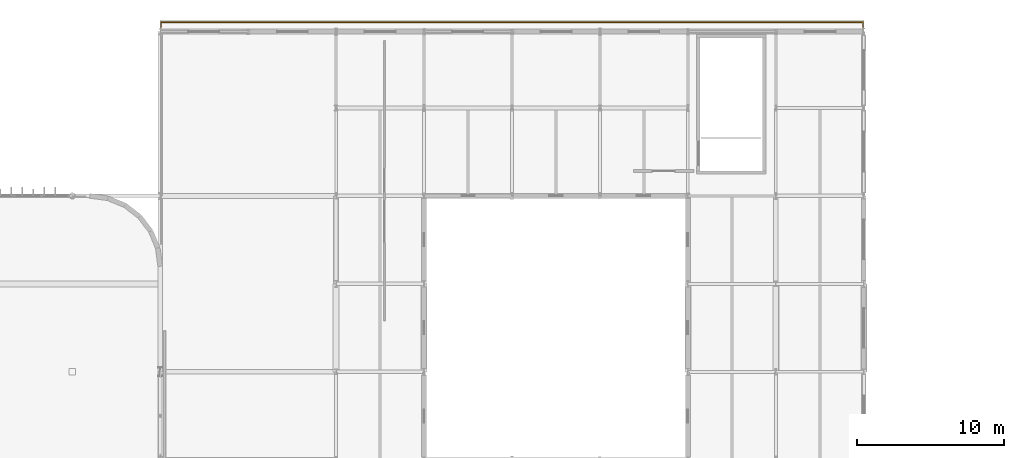
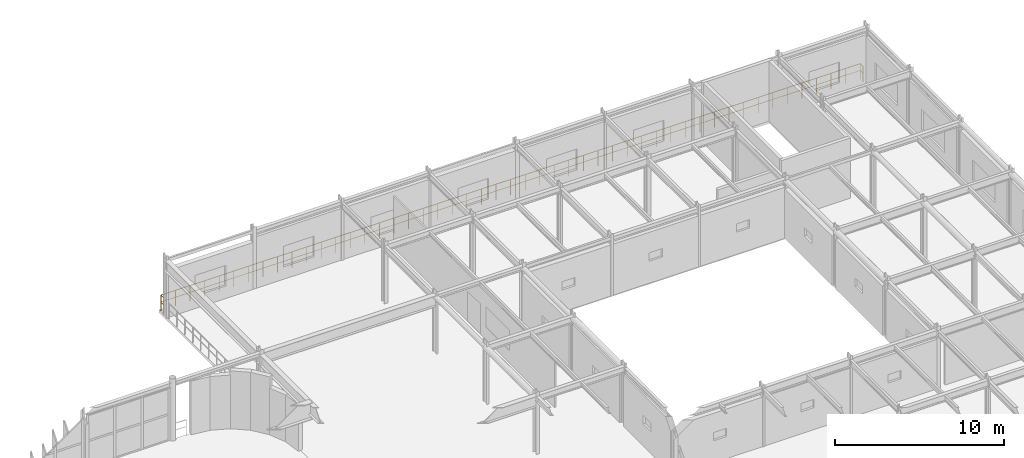
# One storey, part 80 of 84: 1 railing.
"""IFC4 building model written with IfcOpenShell, lengths in metres."""

from ifc_helpers import new_model, si_unit, direction, frame, origin, origin_2d, place, context, subcontext, project, spatial, circle, extrude, material, type_object, element, save


model = new_model("IFC4")

# Units and contexts
model_context = context("Model", 3, precision=1e-05, world=origin(), true_north=direction((0.0, 1.0)))
body_context = subcontext(model_context, "Body", "Model", "MODEL_VIEW")
ifc_project = project(units=[si_unit("LENGTHUNIT", "METRE"), si_unit("AREAUNIT", "SQUARE_METRE"), si_unit("VOLUMEUNIT", "CUBIC_METRE"), si_unit("PLANEANGLEUNIT", "RADIAN"), si_unit("MASSUNIT", "GRAM", prefix="KILO")], contexts=[model_context])

# Site, building, storey
site_placement = place(None, origin())
site = spatial("IfcSite", under=ifc_project, at=site_placement, CompositionType="ELEMENT")
building_placement = place(site_placement, origin())
building = spatial("IfcBuilding", under=site, at=building_placement, Name="Varnakota Square Police Headquarters", CompositionType="ELEMENT")
storey_placement = place(building_placement, frame((0.0, 0.0, 13.5)))
storey = spatial("IfcBuildingStorey", under=building, at=storey_placement, Name="L03", CompositionType="ELEMENT", Elevation=13.5)

# Railing
ifc_material = material(Name="Galvanised Powder-Coated Steel Guardrail", Category="steel")
railing_type = type_object("IfcRailingType", Name="RL-BAL-1150", PredefinedType="BALUSTRADE", material=ifc_material)
railing_placement = place(storey_placement, frame((96.050048828125, 110.5087890625, 0.0)))
element("IfcRailing", 1, at=railing_placement, inside=storey, type_object=railing_type, Name="Perimeter edge safety guard GD-AUTO-L03-075", PredefinedType="BALUSTRADE", context=body_context, shape_type="SweptSolid", body=[
    extrude(circle(Radius=0.02392578125, at=origin_2d()), frame((0.0, 0.0, 1.1259765625), z_axis=(0.0, 1.0, 0.0), x_axis=(-1.0, 0.0, 0.0)), (0.0, 0.0, 1.0), 0.34130859375),
    extrude(circle(Radius=0.01806640625, at=origin_2d()), frame((0.0, 0.0, 0.63232421875), z_axis=(0.0, 1.0, 0.0), x_axis=(-1.0, 0.0, 0.0)), (0.0, 0.0, 1.0), 0.34130859375),
    extrude(circle(Radius=0.02392578125, at=origin_2d()), frame((0.0, 0.34130859375, 1.1259765625), z_axis=(1.0, 0.0, 0.0), x_axis=(0.0, 1.0, 0.0)), (0.0, 0.0, 1.0), 47.89990234375),
    extrude(circle(Radius=0.01806640625, at=origin_2d()), frame((0.0, 0.34130859375, 0.63232421875), z_axis=(1.0, 0.0, 0.0), x_axis=(0.0, 1.0, 0.0)), (0.0, 0.0, 1.0), 47.89990234375),
    extrude(circle(Radius=0.02392578125, at=origin_2d()), frame((47.89990234375, 0.34130859375, 1.1259765625), z_axis=(0.0, -1.0, 0.0), x_axis=(1.0, 0.0, 0.0)), (0.0, 0.0, 1.0), 0.341552734375),
    extrude(circle(Radius=0.01806640625, at=origin_2d()), frame((47.89990234375, 0.34130859375, 0.63232421875), z_axis=(0.0, -1.0, 0.0), x_axis=(1.0, 0.0, 0.0)), (0.0, 0.0, 1.0), 0.341552734375),
    extrude(circle(Radius=0.02099609375, at=origin_2d()), origin(), (0.0, 0.0, 1.0), 1.101806640625),
    extrude(circle(Radius=0.02099609375, at=origin_2d()), frame((0.0, 0.34130859375, 0.0)), (0.0, 0.0, 1.0), 1.101806640625),
    extrude(circle(Radius=0.02099609375, at=origin_2d()), frame((0.997802734375, 0.34130859375, 0.0)), (0.0, 0.0, 1.0), 1.101806640625),
    extrude(circle(Radius=0.02099609375, at=origin_2d()), frame((1.995849609375, 0.34130859375, 0.0)), (0.0, 0.0, 1.0), 1.101806640625),
    extrude(circle(Radius=0.02099609375, at=origin_2d()), frame((2.99365234375, 0.34130859375, 0.0)), (0.0, 0.0, 1.0), 1.101806640625),
    extrude(circle(Radius=0.02099609375, at=origin_2d()), frame((3.99169921875, 0.34130859375, 0.0)), (0.0, 0.0, 1.0), 1.101806640625),
    extrude(circle(Radius=0.02099609375, at=origin_2d()), frame((4.989501953125, 0.34130859375, 0.0)), (0.0, 0.0, 1.0), 1.101806640625),
    extrude(circle(Radius=0.02099609375, at=origin_2d()), frame((5.987548828125, 0.34130859375, 0.0)), (0.0, 0.0, 1.0), 1.101806640625),
    extrude(circle(Radius=0.02099609375, at=origin_2d()), frame((6.9853515625, 0.34130859375, 0.0)), (0.0, 0.0, 1.0), 1.101806640625),
    extrude(circle(Radius=0.02099609375, at=origin_2d()), frame((7.9833984375, 0.34130859375, 0.0)), (0.0, 0.0, 1.0), 1.101806640625),
    extrude(circle(Radius=0.02099609375, at=origin_2d()), frame((8.981201171875, 0.34130859375, 0.0)), (0.0, 0.0, 1.0), 1.101806640625),
    extrude(circle(Radius=0.02099609375, at=origin_2d()), frame((9.979248046875, 0.34130859375, 0.0)), (0.0, 0.0, 1.0), 1.101806640625),
    extrude(circle(Radius=0.02099609375, at=origin_2d()), frame((10.97705078125, 0.34130859375, 0.0)), (0.0, 0.0, 1.0), 1.101806640625),
    extrude(circle(Radius=0.02099609375, at=origin_2d()), frame((11.97509765625, 0.34130859375, 0.0)), (0.0, 0.0, 1.0), 1.101806640625),
    extrude(circle(Radius=0.02099609375, at=origin_2d()), frame((12.972900390625, 0.34130859375, 0.0)), (0.0, 0.0, 1.0), 1.101806640625),
    extrude(circle(Radius=0.02099609375, at=origin_2d()), frame((13.970703125, 0.34130859375, 0.0)), (0.0, 0.0, 1.0), 1.101806640625),
    extrude(circle(Radius=0.02099609375, at=origin_2d()), frame((14.96875, 0.34130859375, 0.0)), (0.0, 0.0, 1.0), 1.101806640625),
    extrude(circle(Radius=0.02099609375, at=origin_2d()), frame((15.966552734375, 0.34130859375, 0.0)), (0.0, 0.0, 1.0), 1.101806640625),
    extrude(circle(Radius=0.02099609375, at=origin_2d()), frame((16.964599609375, 0.34130859375, 0.0)), (0.0, 0.0, 1.0), 1.101806640625),
    extrude(circle(Radius=0.02099609375, at=origin_2d()), frame((17.96240234375, 0.34130859375, 0.0)), (0.0, 0.0, 1.0), 1.101806640625),
    extrude(circle(Radius=0.02099609375, at=origin_2d()), frame((18.96044921875, 0.34130859375, 0.0)), (0.0, 0.0, 1.0), 1.101806640625),
    extrude(circle(Radius=0.02099609375, at=origin_2d()), frame((19.958251953125, 0.34130859375, 0.0)), (0.0, 0.0, 1.0), 1.101806640625),
    extrude(circle(Radius=0.02099609375, at=origin_2d()), frame((20.956298828125, 0.34130859375, 0.0)), (0.0, 0.0, 1.0), 1.101806640625),
    extrude(circle(Radius=0.02099609375, at=origin_2d()), frame((21.9541015625, 0.34130859375, 0.0)), (0.0, 0.0, 1.0), 1.101806640625),
    extrude(circle(Radius=0.02099609375, at=origin_2d()), frame((22.9521484375, 0.34130859375, 0.0)), (0.0, 0.0, 1.0), 1.101806640625),
    extrude(circle(Radius=0.02099609375, at=origin_2d()), frame((23.949951171875, 0.34130859375, 0.0)), (0.0, 0.0, 1.0), 1.101806640625),
    extrude(circle(Radius=0.02099609375, at=origin_2d()), frame((24.94775390625, 0.34130859375, 0.0)), (0.0, 0.0, 1.0), 1.101806640625),
    extrude(circle(Radius=0.02099609375, at=origin_2d()), frame((25.94580078125, 0.34130859375, 0.0)), (0.0, 0.0, 1.0), 1.101806640625),
    extrude(circle(Radius=0.02099609375, at=origin_2d()), frame((26.943603515625, 0.34130859375, 0.0)), (0.0, 0.0, 1.0), 1.101806640625),
    extrude(circle(Radius=0.02099609375, at=origin_2d()), frame((27.941650390625, 0.34130859375, 0.0)), (0.0, 0.0, 1.0), 1.101806640625),
    extrude(circle(Radius=0.02099609375, at=origin_2d()), frame((28.939453125, 0.34130859375, 0.0)), (0.0, 0.0, 1.0), 1.101806640625),
    extrude(circle(Radius=0.02099609375, at=origin_2d()), frame((29.9375, 0.34130859375, 0.0)), (0.0, 0.0, 1.0), 1.101806640625),
    extrude(circle(Radius=0.02099609375, at=origin_2d()), frame((30.935302734375, 0.34130859375, 0.0)), (0.0, 0.0, 1.0), 1.101806640625),
    extrude(circle(Radius=0.02099609375, at=origin_2d()), frame((31.933349609375, 0.34130859375, 0.0)), (0.0, 0.0, 1.0), 1.101806640625),
    extrude(circle(Radius=0.02099609375, at=origin_2d()), frame((32.93115234375, 0.34130859375, 0.0)), (0.0, 0.0, 1.0), 1.101806640625),
    extrude(circle(Radius=0.02099609375, at=origin_2d()), frame((33.92919921875, 0.34130859375, 0.0)), (0.0, 0.0, 1.0), 1.101806640625),
    extrude(circle(Radius=0.02099609375, at=origin_2d()), frame((34.927001953125, 0.34130859375, 0.0)), (0.0, 0.0, 1.0), 1.101806640625),
    extrude(circle(Radius=0.02099609375, at=origin_2d()), frame((35.9248046875, 0.34130859375, 0.0)), (0.0, 0.0, 1.0), 1.101806640625),
    extrude(circle(Radius=0.02099609375, at=origin_2d()), frame((36.9228515625, 0.34130859375, 0.0)), (0.0, 0.0, 1.0), 1.101806640625),
    extrude(circle(Radius=0.02099609375, at=origin_2d()), frame((37.920654296875, 0.34130859375, 0.0)), (0.0, 0.0, 1.0), 1.101806640625),
    extrude(circle(Radius=0.02099609375, at=origin_2d()), frame((38.918701171875, 0.34130859375, 0.0)), (0.0, 0.0, 1.0), 1.101806640625),
    extrude(circle(Radius=0.02099609375, at=origin_2d()), frame((39.91650390625, 0.34130859375, 0.0)), (0.0, 0.0, 1.0), 1.101806640625),
    extrude(circle(Radius=0.02099609375, at=origin_2d()), frame((40.91455078125, 0.34130859375, 0.0)), (0.0, 0.0, 1.0), 1.101806640625),
    extrude(circle(Radius=0.02099609375, at=origin_2d()), frame((41.912353515625, 0.34130859375, 0.0)), (0.0, 0.0, 1.0), 1.101806640625),
    extrude(circle(Radius=0.02099609375, at=origin_2d()), frame((42.910400390625, 0.34130859375, 0.0)), (0.0, 0.0, 1.0), 1.101806640625),
    extrude(circle(Radius=0.02099609375, at=origin_2d()), frame((43.908203125, 0.34130859375, 0.0)), (0.0, 0.0, 1.0), 1.101806640625),
    extrude(circle(Radius=0.02099609375, at=origin_2d()), frame((44.90625, 0.34130859375, 0.0)), (0.0, 0.0, 1.0), 1.101806640625),
    extrude(circle(Radius=0.02099609375, at=origin_2d()), frame((45.904052734375, 0.34130859375, 0.0)), (0.0, 0.0, 1.0), 1.101806640625),
    extrude(circle(Radius=0.02099609375, at=origin_2d()), frame((46.902099609375, 0.34130859375, 0.0)), (0.0, 0.0, 1.0), 1.101806640625),
    extrude(circle(Radius=0.02099609375, at=origin_2d()), frame((47.89990234375, 0.34130859375, 0.0)), (0.0, 0.0, 1.0), 1.101806640625),
    extrude(circle(Radius=0.02099609375, at=origin_2d()), frame((47.89990234375, -0.000244140625, 0.0)), (0.0, 0.0, 1.0), 1.101806640625),
])

save(model, "model.ifc")
